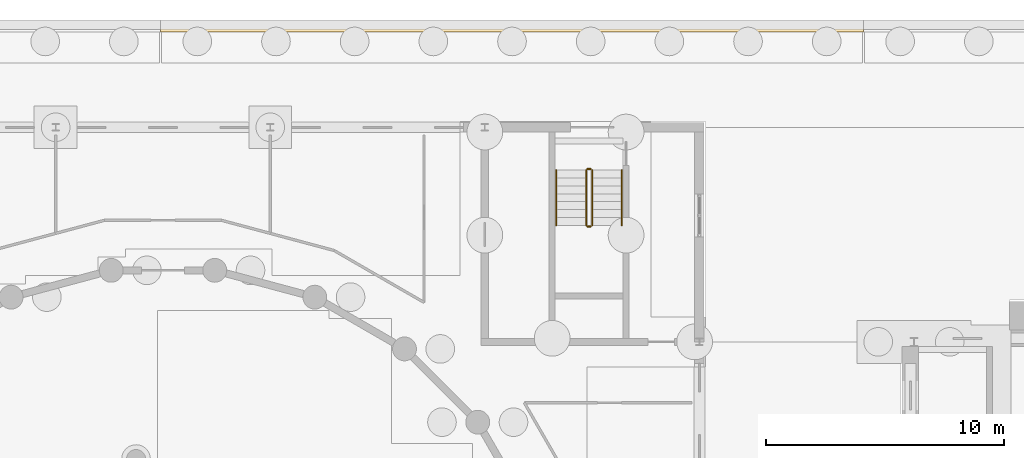
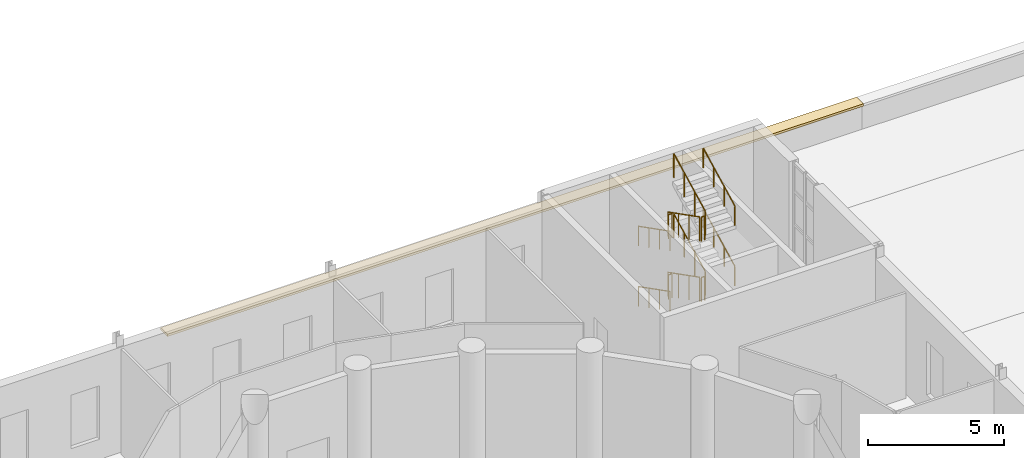
# One storey, part 162 of 168: 12 railings, 1 covering.
"""IFC4 building model written with IfcOpenShell, lengths in metres."""

import ifcopenshell
import ifcopenshell.guid

model = None  # the IFC model being written
_history = None  # IfcOwnerHistory: only IFC2X3 demands one
_inside = {}  # id of a spatial element -> (the spatial element, [elements in it])
_under = {}  # id of a project, library or spatial element -> (it, [spatial elements below it])
_declared = {}  # id of a project -> (the project, [libraries it declares])
_typed = {}  # id of a type object -> (the type object, [elements of that type])
_made_of = {}  # id of a material, layer set ... -> (it, [elements and type objects made of it])


def new_model(schema):
    """Start an empty IFC model of exactly this schema.

    Asked for "IFC4X3", IfcOpenShell would pick the latest addendum, in which some entities
    have other attributes; the version numbers below select the first issue.
    IFC2X3 requires an IfcOwnerHistory on every rooted entity: one is made here for all.
    """
    global model, _history
    if schema == "IFC4X3":
        model = ifcopenshell.file(schema_version=(4, 3, 0, 0))
    else:
        model = ifcopenshell.file(schema=schema)
    _inside.clear()
    _under.clear()
    _declared.clear()
    _typed.clear()
    _made_of.clear()
    _history = None
    if model.schema == "IFC2X3":
        org = make("IfcOrganization", Name="unknown")
        user = make(
            "IfcPersonAndOrganization",
            ThePerson=make("IfcPerson", FamilyName="unknown"),
            TheOrganization=org,
        )
        app = make(
            "IfcApplication",
            ApplicationDeveloper=org,
            Version="unknown",
            ApplicationFullName="unknown",
            ApplicationIdentifier="unknown",
        )
        _history = make(
            "IfcOwnerHistory",
            OwningUser=user,
            OwningApplication=app,
            ChangeAction="ADDED",
            CreationDate=0,
        )
    return model


def make(cls, **values):
    """One entity of the class cls with the attributes given. An attribute that is None is left unset."""
    return model.create_entity(
        cls, **{name: value for name, value in values.items() if value is not None}
    )


def rooted(cls, **values):
    """An entity with a GlobalId (a new one), such as an element, a storey or a relation."""
    return make(cls, GlobalId=ifcopenshell.guid.new(), OwnerHistory=_history, **values)


def si_unit(unit_type, name, prefix=None):
    """IfcSIUnit, for example si_unit("LENGTHUNIT", "METRE", prefix="MILLI")."""
    return make("IfcSIUnit", UnitType=unit_type, Prefix=prefix, Name=name)


def assignment(units):
    """IfcUnitAssignment: the units of a project."""
    return None if units is None else make("IfcUnitAssignment", Units=units)


def point(xyz):
    """IfcCartesianPoint."""
    return None if xyz is None else make("IfcCartesianPoint", Coordinates=xyz)


def direction(xyz):
    """IfcDirection."""
    return None if xyz is None else make("IfcDirection", DirectionRatios=xyz)


def frame(location, z_axis=None, x_axis=None):
    """IfcAxis2Placement3D, a coordinate frame: its origin and axes. An axis left out is left unset."""
    return make(
        "IfcAxis2Placement3D",
        Location=point(location),
        Axis=direction(z_axis),
        RefDirection=direction(x_axis),
    )


def frame_2d(location, x_axis=None):
    """IfcAxis2Placement2D, a coordinate frame in the plane: its origin and x axis."""
    return make(
        "IfcAxis2Placement2D", Location=point(location), RefDirection=direction(x_axis)
    )


def origin():
    """The frame at (0, 0, 0) with its axes left unset."""
    return frame((0.0, 0.0, 0.0))


def origin_2d():
    """The frame at (0, 0) in the plane with its x axis left unset."""
    return frame_2d((0.0, 0.0))


def place(relative_to, where):
    """IfcLocalPlacement: puts the frame where relative to a parent placement (None: the world)."""
    return make(
        "IfcLocalPlacement", PlacementRelTo=relative_to, RelativePlacement=where
    )


def context(
    kind, dimensions, precision=None, world=None, true_north=None, identifier=None
):
    """IfcGeometricRepresentationContext, for example the 3D "Model" context."""
    return make(
        "IfcGeometricRepresentationContext",
        ContextIdentifier=identifier,
        ContextType=kind,
        CoordinateSpaceDimension=dimensions,
        Precision=precision,
        WorldCoordinateSystem=world,
        TrueNorth=true_north,
    )


def subcontext(parent, identifier, kind, view, scale=None):
    """IfcGeometricRepresentationSubContext, for example "Body" below "Model"."""
    return make(
        "IfcGeometricRepresentationSubContext",
        ContextIdentifier=identifier,
        ContextType=kind,
        ParentContext=parent,
        TargetScale=scale,
        TargetView=view,
    )


def project(units=None, contexts=None):
    """IfcProject with its units and contexts."""
    return rooted(
        "IfcProject",
        Name="project",
        RepresentationContexts=contexts,
        UnitsInContext=assignment(units),
    )


def spatial(cls, under=None, at=None, **own):
    """A site, building, storey or space (cls), placed at a placement, below another one or the project."""
    s = rooted(cls, ObjectPlacement=at, **own)
    if under is not None:
        _under.setdefault(under.id(), (under, []))[1].append(s)
    return s


def polyline(points):
    """IfcPolyline through the points."""
    return make("IfcPolyline", Points=[point(p) for p in points])


def profile(cls, at=None, kind="AREA", **sizes):
    """A parametric profile (cls). Its sizes go by their IFC names, for example OverallWidth=200.0."""
    return make(cls, ProfileType=kind, Position=at, **sizes)


def circle(**sizes):
    """IfcCircleProfileDef."""
    return profile("IfcCircleProfileDef", **sizes)


def outline(outer, holes=None, kind="AREA"):
    """IfcArbitraryClosedProfileDef: a profile drawn as a closed curve; with holes, ...WithVoids."""
    if holes is None:
        return make("IfcArbitraryClosedProfileDef", ProfileType=kind, OuterCurve=outer)
    return make(
        "IfcArbitraryProfileDefWithVoids",
        ProfileType=kind,
        OuterCurve=outer,
        InnerCurves=holes,
    )


def extrude(swept, where, along, depth):
    """IfcExtrudedAreaSolid: the profile swept, set in the frame where, extruded along a direction by depth."""
    return make(
        "IfcExtrudedAreaSolid",
        SweptArea=swept,
        Position=where,
        ExtrudedDirection=direction(along),
        Depth=depth,
    )


def shape(context_of_items, identifier, shape_type, items):
    """IfcShapeRepresentation: the items that make up one representation, for example the "Body"."""
    return make(
        "IfcShapeRepresentation",
        ContextOfItems=context_of_items,
        RepresentationIdentifier=identifier,
        RepresentationType=shape_type,
        Items=items,
    )


def material(Name=None, Category=None):
    """IfcMaterial."""
    return make("IfcMaterial", Name=Name, Category=Category)


def layer(
    of_material, thickness, ventilated=None, Name=None, Category=None, Priority=None
):
    """IfcMaterialLayer: one layer of a wall or slab, of a material (None: an air gap)."""
    return make(
        "IfcMaterialLayer",
        Material=of_material,
        LayerThickness=thickness,
        IsVentilated=ventilated,
        Name=Name,
        Category=Category,
        Priority=Priority,
    )


def layer_set(layers, Name=None):
    """IfcMaterialLayerSet."""
    return make("IfcMaterialLayerSet", MaterialLayers=layers, LayerSetName=Name)


def made_of(thing, what):
    """Note that an element or type object is made of a material, layer set ...; save() writes the relation."""
    if what is not None:
        _made_of.setdefault(what.id(), (what, []))[1].append(thing)
    return thing


def type_object(cls, material=None, **own):
    """A type object (cls), such as IfcWallType, which elements share."""
    return made_of(rooted(cls, **own), material)


def element(
    cls,
    number,
    at=None,
    inside=None,
    cuts=None,
    type_object=None,
    material=None,
    context=None,
    identifier="Body",
    shape_type=None,
    held_by="IfcProductDefinitionShape",
    body=None,
    shapes=None,
    **own,
):
    """One element of the class cls, such as IfcWall. Its Tag is "e" and its number.

    at: its placement. inside: the storey or other place that contains it. cuts: it is an
    opening in that element (IfcRelVoidsElement). A single representation is given by context,
    identifier, shape_type and body (its items); several are given by shapes. held_by: the class
    of the entity that holds the representations. save() writes the other relations.
    """
    e = rooted(cls, Tag="e%d" % number, ObjectPlacement=at, **own)
    if body is not None:
        shapes = [shape(context, identifier, shape_type, body)]
    if shapes is not None:
        e.Representation = make(held_by, Representations=shapes)
    if inside is not None:
        _inside.setdefault(inside.id(), (inside, []))[1].append(e)
    if cuts is not None:
        rooted(
            "IfcRelVoidsElement", RelatingBuildingElement=cuts, RelatedOpeningElement=e
        )
    if type_object is not None:
        _typed.setdefault(type_object.id(), (type_object, []))[1].append(e)
    return made_of(e, material)


def aggregate(whole, parts):
    """IfcRelAggregates: a whole, such as a stair, and the parts it consists of."""
    return rooted("IfcRelAggregates", RelatingObject=whole, RelatedObjects=parts)


def save(model, path):
    """Write the relations noted so far, then the file.

    IfcRelAggregates (storeys below a building ...), IfcRelContainedInSpatialStructure (elements
    in a storey), IfcRelDefinesByType, IfcRelAssociatesMaterial and IfcRelDeclares: one each for
    every whole, place, type object, material and project.
    """
    for whole, parts in _under.values():
        aggregate(whole, parts)
    for where, things in _inside.values():
        rooted(
            "IfcRelContainedInSpatialStructure",
            RelatedElements=things,
            RelatingStructure=where,
        )
    for kind, things in _typed.values():
        rooted("IfcRelDefinesByType", RelatedObjects=things, RelatingType=kind)
    for what, things in _made_of.values():
        rooted("IfcRelAssociatesMaterial", RelatedObjects=things, RelatingMaterial=what)
    for by, libraries in _declared.values():
        rooted("IfcRelDeclares", RelatingContext=by, RelatedDefinitions=libraries)
    model.write(path)


model = new_model("IFC4")

# Units and contexts
model_context = context("Model", 3, precision=1e-05, world=origin(), true_north=direction((0.0, 1.0)))
body_context = subcontext(model_context, "Body", "Model", "MODEL_VIEW")
ifc_project = project(units=[si_unit("LENGTHUNIT", "METRE"), si_unit("AREAUNIT", "SQUARE_METRE"), si_unit("VOLUMEUNIT", "CUBIC_METRE"), si_unit("PLANEANGLEUNIT", "RADIAN"), si_unit("MASSUNIT", "GRAM", prefix="KILO")], contexts=[model_context])

# Site, building, storey
site_placement = place(None, origin())
site = spatial("IfcSite", under=ifc_project, at=site_placement, CompositionType="ELEMENT")
building_placement = place(site_placement, origin())
building = spatial("IfcBuilding", under=site, at=building_placement, Name="Golden Quay Civic Hall", CompositionType="ELEMENT")
storey_placement = place(building_placement, origin())
storey = spatial("IfcBuildingStorey", under=building, at=storey_placement, Name="L00", CompositionType="ELEMENT", Elevation=0.0)

# Covering
ifc_material_1 = material(Name="Granite", Category="masonry")
ifc_layer = layer(ifc_material_1, 0.10009765625)
ifc_layer_set = layer_set([ifc_layer], Name="Granite wall coping 500 x 100")
covering_type = type_object("IfcCoveringType", Name="Granite wall coping 500 x 100", PredefinedType="CLADDING", material=ifc_layer_set)
covering_placement = place(storey_placement, frame((0.0, 0.0, 1.10009765625)))
element("IfcCovering", 1, at=covering_placement, inside=storey, type_object=covering_type, Name="Boundary wall coping run N4", PredefinedType="CLADDING", context=body_context, shape_type="SweptSolid", body=[
    extrude(outline(polyline([(85.39990234375, 112.0), (114.8798828125, 112.0), (114.8798828125, 112.5), (85.39990234375, 112.5), (85.39990234375, 112.0)])), origin(), (0.0, 0.0, 1.0), 0.099853515625),
])

# Railings
ifc_material_2 = material(Name="Steel S355", Category="steel")
railing_type_1 = type_object("IfcRailingType", Name="Steel guard 1100", PredefinedType="GUARDRAIL", material=ifc_material_2)
railing_1_placement = place(storey_placement, frame((103.25, 106.199951171875, 0.168701171875)))
element("IfcRailing", 2, at=railing_1_placement, inside=storey, type_object=railing_type_1, Name="L00 CB-NE stair guard 1", PredefinedType="GUARDRAIL", context=body_context, shape_type="SweptSolid", body=[
    extrude(circle(Radius=0.02392578125, at=origin_2d()), frame((0.0, 0.0, 1.076171875), z_axis=(0.0, -0.89032534587, 0.45532491531), x_axis=(1.0, 0.0, 0.0)), (0.0, 0.0, 1.0), 2.5947265625),
    extrude(circle(Radius=0.02099609375, at=origin_2d()), origin(), (0.0, 0.0, 1.0), 1.052001953125),
    extrude(circle(Radius=0.02099609375, at=origin_2d()), frame((0.0, -0.77001953125, 0.393798828125)), (0.0, 0.0, 1.0), 1.052001953125),
    extrude(circle(Radius=0.02099609375, at=origin_2d()), frame((0.0, -1.5400390625, 0.78759765625)), (0.0, 0.0, 1.0), 1.052001953125),
    extrude(circle(Radius=0.02099609375, at=origin_2d()), frame((0.0, -2.31005859375, 1.181396484375)), (0.0, 0.0, 1.0), 1.052001953125),
])
railing_2_placement = place(storey_placement, frame((103.300048828125, 103.840087890625, 1.35009765625)))
element("IfcRailing", 3, at=railing_2_placement, inside=storey, type_object=railing_type_1, Name="L00 CB-NE stair guard 2", PredefinedType="GUARDRAIL", context=body_context, shape_type="SweptSolid", body=[
    extrude(circle(Radius=0.02392578125, at=origin_2d()), frame((0.0, 0.0, 1.076171875), z_axis=(1.0, 0.0, 0.0), x_axis=(0.0, 1.0, 0.0)), (0.0, 0.0, 1.0), 0.14990234375),
    extrude(circle(Radius=0.02099609375, at=origin_2d()), origin(), (0.0, 0.0, 1.0), 1.052001953125),
    extrude(circle(Radius=0.02099609375, at=origin_2d()), frame((0.14990234375, 0.0, 0.0)), (0.0, 0.0, 1.0), 1.052001953125),
])
railing_3_placement = place(storey_placement, frame((103.5, 103.889892578125, 1.518798828125)))
element("IfcRailing", 4, at=railing_3_placement, inside=storey, type_object=railing_type_1, Name="L00 CB-NE stair guard 3", PredefinedType="GUARDRAIL", context=body_context, shape_type="SweptSolid", body=[
    extrude(circle(Radius=0.02392578125, at=origin_2d()), frame((0.0, 0.0, 1.076171875), z_axis=(0.0, 0.890363489232, 0.455250323495), x_axis=(-1.0, 0.0, 0.0)), (0.0, 0.0, 1.0), 2.594482421875),
    extrude(circle(Radius=0.02099609375, at=origin_2d()), origin(), (0.0, 0.0, 1.0), 1.052001953125),
    extrude(circle(Radius=0.02099609375, at=origin_2d()), frame((0.0, 0.77001953125, 0.393798828125)), (0.0, 0.0, 1.0), 1.052001953125),
    extrude(circle(Radius=0.02099609375, at=origin_2d()), frame((0.0, 1.5400390625, 0.787353515625)), (0.0, 0.0, 1.0), 1.052001953125),
    extrude(circle(Radius=0.02099609375, at=origin_2d()), frame((0.0, 2.31005859375, 1.18115234375)), (0.0, 0.0, 1.0), 1.052001953125),
])
railing_4_placement = place(storey_placement, frame((103.300048828125, 106.25, 2.699951171875)))
element("IfcRailing", 5, at=railing_4_placement, inside=storey, type_object=railing_type_1, Name="L00 CB-NE stair guard 4", PredefinedType="GUARDRAIL", context=body_context, shape_type="SweptSolid", body=[
    extrude(circle(Radius=0.02392578125, at=origin_2d()), frame((0.0, 0.0, 1.076171875), z_axis=(1.0, 0.0, 0.0), x_axis=(0.0, 1.0, 0.0)), (0.0, 0.0, 1.0), 0.14990234375),
    extrude(circle(Radius=0.02099609375, at=origin_2d()), origin(), (0.0, 0.0, 1.0), 1.052001953125),
    extrude(circle(Radius=0.02099609375, at=origin_2d()), frame((0.14990234375, 0.0, 0.0)), (0.0, 0.0, 1.0), 1.052001953125),
])
railing_5_placement = place(storey_placement, frame((103.25, 106.199951171875, 2.86865234375)))
element("IfcRailing", 6, at=railing_5_placement, inside=storey, type_object=railing_type_1, Name="L00 CB-NE stair guard 5", PredefinedType="GUARDRAIL", context=body_context, shape_type="SweptSolid", body=[
    extrude(circle(Radius=0.02392578125, at=origin_2d()), frame((0.0, 0.0, 1.076171875), z_axis=(0.0, -0.89032534587, 0.45532491531), x_axis=(1.0, 0.0, 0.0)), (0.0, 0.0, 1.0), 2.5947265625),
    extrude(circle(Radius=0.02099609375, at=origin_2d()), origin(), (0.0, 0.0, 1.0), 1.052001953125),
    extrude(circle(Radius=0.02099609375, at=origin_2d()), frame((0.0, -0.77001953125, 0.393798828125)), (0.0, 0.0, 1.0), 1.052001953125),
    extrude(circle(Radius=0.02099609375, at=origin_2d()), frame((0.0, -1.5400390625, 0.78759765625)), (0.0, 0.0, 1.0), 1.052001953125),
    extrude(circle(Radius=0.02099609375, at=origin_2d()), frame((0.0, -2.31005859375, 1.181396484375)), (0.0, 0.0, 1.0), 1.052001953125),
])
railing_6_placement = place(storey_placement, frame((103.300048828125, 103.840087890625, 4.050048828125)))
element("IfcRailing", 7, at=railing_6_placement, inside=storey, type_object=railing_type_1, Name="L00 CB-NE stair guard 6", PredefinedType="GUARDRAIL", context=body_context, shape_type="SweptSolid", body=[
    extrude(circle(Radius=0.02392578125, at=origin_2d()), frame((0.0, 0.0, 1.076171875), z_axis=(1.0, 0.0, 0.0), x_axis=(0.0, 1.0, 0.0)), (0.0, 0.0, 1.0), 0.14990234375),
    extrude(circle(Radius=0.02099609375, at=origin_2d()), origin(), (0.0, 0.0, 1.0), 1.052001953125),
    extrude(circle(Radius=0.02099609375, at=origin_2d()), frame((0.14990234375, 0.0, 0.0)), (0.0, 0.0, 1.0), 1.052001953125),
])
railing_7_placement = place(storey_placement, frame((103.5, 103.889892578125, 4.21875)))
element("IfcRailing", 8, at=railing_7_placement, inside=storey, type_object=railing_type_1, Name="L00 CB-NE stair guard 7", PredefinedType="GUARDRAIL", context=body_context, shape_type="SweptSolid", body=[
    extrude(circle(Radius=0.02392578125, at=origin_2d()), frame((0.0, 0.0, 1.076171875), z_axis=(0.0, 0.890363489232, 0.455250323495), x_axis=(-1.0, 0.0, 0.0)), (0.0, 0.0, 1.0), 2.594482421875),
    extrude(circle(Radius=0.02099609375, at=origin_2d()), origin(), (0.0, 0.0, 1.0), 1.052001953125),
    extrude(circle(Radius=0.02099609375, at=origin_2d()), frame((0.0, 0.77001953125, 0.393798828125)), (0.0, 0.0, 1.0), 1.052001953125),
    extrude(circle(Radius=0.02099609375, at=origin_2d()), frame((0.0, 1.5400390625, 0.787353515625)), (0.0, 0.0, 1.0), 1.052001953125),
    extrude(circle(Radius=0.02099609375, at=origin_2d()), frame((0.0, 2.31005859375, 1.18115234375)), (0.0, 0.0, 1.0), 1.052001953125),
])
railing_8_placement = place(storey_placement, frame((103.300048828125, 106.25, 0.0)))
element("IfcRailing", 9, at=railing_8_placement, inside=storey, type_object=railing_type_1, Name="L00 CB-NE stair guard 8", PredefinedType="GUARDRAIL", context=body_context, shape_type="SweptSolid", body=[
    extrude(circle(Radius=0.02392578125, at=origin_2d()), frame((0.0, 0.0, 1.076171875), z_axis=(1.0, 0.0, 0.0), x_axis=(0.0, 1.0, 0.0)), (0.0, 0.0, 1.0), 0.14990234375),
    extrude(circle(Radius=0.02099609375, at=origin_2d()), origin(), (0.0, 0.0, 1.0), 1.052001953125),
    extrude(circle(Radius=0.02099609375, at=origin_2d()), frame((0.14990234375, 0.0, 0.0)), (0.0, 0.0, 1.0), 1.052001953125),
])
ifc_material_3 = material(Name="Steel S355", Category="steel")
railing_type_2 = type_object("IfcRailingType", Name="Steel handrail 900", PredefinedType="HANDRAIL", material=ifc_material_3)
railing_9_placement = place(storey_placement, frame((102.0, 106.199951171875, 0.168701171875)))
element("IfcRailing", 10, at=railing_9_placement, inside=storey, type_object=railing_type_2, Name="L00 CB-NE stair handrail 1", PredefinedType="HANDRAIL", context=body_context, shape_type="SweptSolid", body=[
    extrude(circle(Radius=0.02392578125, at=origin_2d()), frame((0.0, 0.0, 0.8759765625), z_axis=(0.0, -0.89032534587, 0.45532491531), x_axis=(1.0, 0.0, 0.0)), (0.0, 0.0, 1.0), 2.5947265625),
    extrude(circle(Radius=0.02099609375, at=origin_2d()), origin(), (0.0, 0.0, 1.0), 0.851806640625),
    extrude(circle(Radius=0.02099609375, at=origin_2d()), frame((0.0, -0.77001953125, 0.393798828125)), (0.0, 0.0, 1.0), 0.851806640625),
    extrude(circle(Radius=0.02099609375, at=origin_2d()), frame((0.0, -1.5400390625, 0.78759765625)), (0.0, 0.0, 1.0), 0.851806640625),
    extrude(circle(Radius=0.02099609375, at=origin_2d()), frame((0.0, -2.31005859375, 1.181396484375)), (0.0, 0.0, 1.0), 0.851806640625),
])
railing_10_placement = place(storey_placement, frame((104.75, 103.889892578125, 1.518798828125)))
element("IfcRailing", 11, at=railing_10_placement, inside=storey, type_object=railing_type_2, Name="L00 CB-NE stair handrail 2", PredefinedType="HANDRAIL", context=body_context, shape_type="SweptSolid", body=[
    extrude(circle(Radius=0.02392578125, at=origin_2d()), frame((0.0, 0.0, 0.8759765625), z_axis=(0.0, 0.890363489232, 0.455250323495), x_axis=(-1.0, 0.0, 0.0)), (0.0, 0.0, 1.0), 2.594482421875),
    extrude(circle(Radius=0.02099609375, at=origin_2d()), origin(), (0.0, 0.0, 1.0), 0.851806640625),
    extrude(circle(Radius=0.02099609375, at=origin_2d()), frame((0.0, 0.77001953125, 0.393798828125)), (0.0, 0.0, 1.0), 0.851806640625),
    extrude(circle(Radius=0.02099609375, at=origin_2d()), frame((0.0, 1.5400390625, 0.787353515625)), (0.0, 0.0, 1.0), 0.851806640625),
    extrude(circle(Radius=0.02099609375, at=origin_2d()), frame((0.0, 2.31005859375, 1.18115234375)), (0.0, 0.0, 1.0), 0.851806640625),
])
railing_11_placement = place(storey_placement, frame((102.0, 106.199951171875, 2.86865234375)))
element("IfcRailing", 12, at=railing_11_placement, inside=storey, type_object=railing_type_2, Name="L00 CB-NE stair handrail 3", PredefinedType="HANDRAIL", context=body_context, shape_type="SweptSolid", body=[
    extrude(circle(Radius=0.02392578125, at=origin_2d()), frame((0.0, 0.0, 0.8759765625), z_axis=(0.0, -0.89032534587, 0.45532491531), x_axis=(1.0, 0.0, 0.0)), (0.0, 0.0, 1.0), 2.5947265625),
    extrude(circle(Radius=0.02099609375, at=origin_2d()), origin(), (0.0, 0.0, 1.0), 0.851806640625),
    extrude(circle(Radius=0.02099609375, at=origin_2d()), frame((0.0, -0.77001953125, 0.393798828125)), (0.0, 0.0, 1.0), 0.851806640625),
    extrude(circle(Radius=0.02099609375, at=origin_2d()), frame((0.0, -1.5400390625, 0.78759765625)), (0.0, 0.0, 1.0), 0.851806640625),
    extrude(circle(Radius=0.02099609375, at=origin_2d()), frame((0.0, -2.31005859375, 1.181396484375)), (0.0, 0.0, 1.0), 0.851806640625),
])
railing_12_placement = place(storey_placement, frame((104.75, 103.889892578125, 4.21875)))
element("IfcRailing", 13, at=railing_12_placement, inside=storey, type_object=railing_type_2, Name="L00 CB-NE stair handrail 4", PredefinedType="HANDRAIL", context=body_context, shape_type="SweptSolid", body=[
    extrude(circle(Radius=0.02392578125, at=origin_2d()), frame((0.0, 0.0, 0.8759765625), z_axis=(0.0, 0.890363489232, 0.455250323495), x_axis=(-1.0, 0.0, 0.0)), (0.0, 0.0, 1.0), 2.594482421875),
    extrude(circle(Radius=0.02099609375, at=origin_2d()), origin(), (0.0, 0.0, 1.0), 0.851806640625),
    extrude(circle(Radius=0.02099609375, at=origin_2d()), frame((0.0, 0.77001953125, 0.393798828125)), (0.0, 0.0, 1.0), 0.851806640625),
    extrude(circle(Radius=0.02099609375, at=origin_2d()), frame((0.0, 1.5400390625, 0.787353515625)), (0.0, 0.0, 1.0), 0.851806640625),
    extrude(circle(Radius=0.02099609375, at=origin_2d()), frame((0.0, 2.31005859375, 1.18115234375)), (0.0, 0.0, 1.0), 0.851806640625),
])

save(model, "model.ifc")
